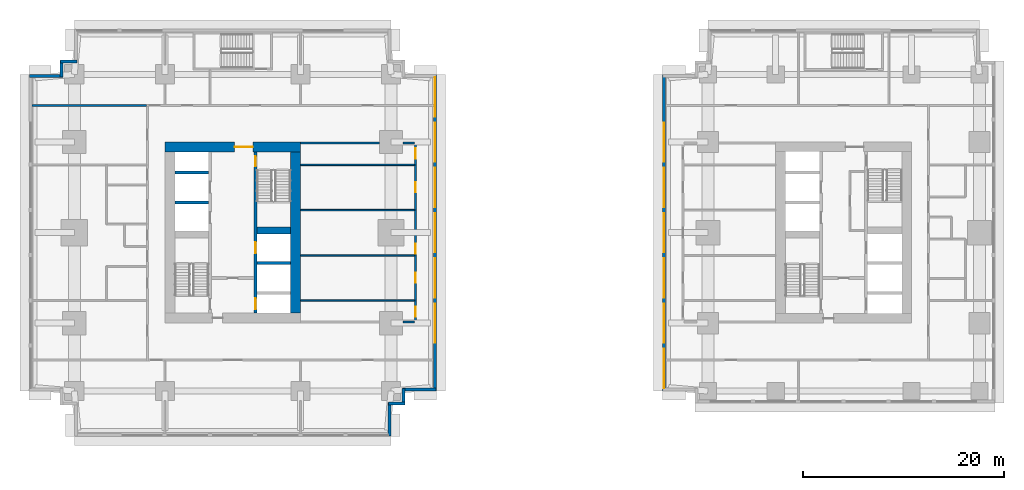
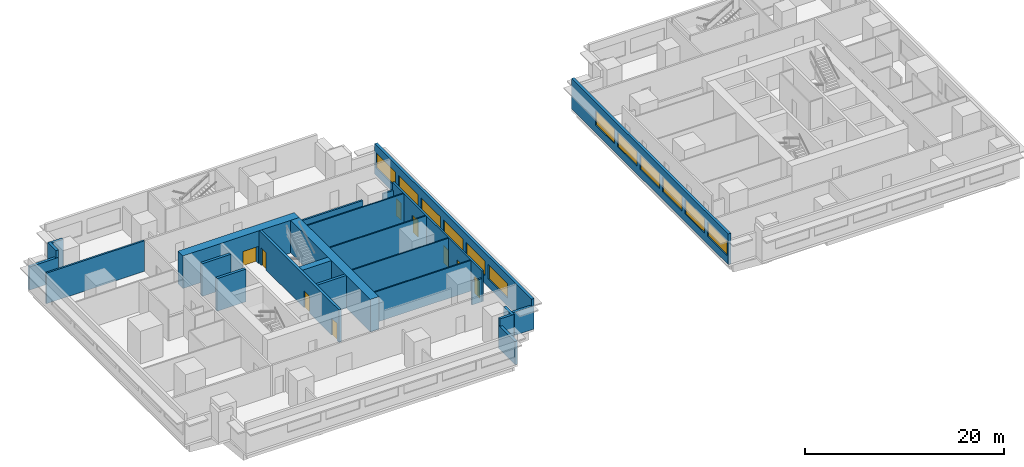
# One storey, part 4 of 11: 25 walls, 12 windows, 9 doors, 21 openings.
"""IFC4 building model written with IfcOpenShell, lengths in metres."""

import ifcopenshell
import ifcopenshell.guid

model = None  # the IFC model being written
_history = None  # IfcOwnerHistory: only IFC2X3 demands one
_inside = {}  # id of a spatial element -> (the spatial element, [elements in it])
_under = {}  # id of a project, library or spatial element -> (it, [spatial elements below it])
_declared = {}  # id of a project -> (the project, [libraries it declares])
_typed = {}  # id of a type object -> (the type object, [elements of that type])
_made_of = {}  # id of a material, layer set ... -> (it, [elements and type objects made of it])


def new_model(schema):
    """Start an empty IFC model of exactly this schema.

    Asked for "IFC4X3", IfcOpenShell would pick the latest addendum, in which some entities
    have other attributes; the version numbers below select the first issue.
    IFC2X3 requires an IfcOwnerHistory on every rooted entity: one is made here for all.
    """
    global model, _history
    if schema == "IFC4X3":
        model = ifcopenshell.file(schema_version=(4, 3, 0, 0))
    else:
        model = ifcopenshell.file(schema=schema)
    _inside.clear()
    _under.clear()
    _declared.clear()
    _typed.clear()
    _made_of.clear()
    _history = None
    if model.schema == "IFC2X3":
        org = make("IfcOrganization", Name="unknown")
        user = make(
            "IfcPersonAndOrganization",
            ThePerson=make("IfcPerson", FamilyName="unknown"),
            TheOrganization=org,
        )
        app = make(
            "IfcApplication",
            ApplicationDeveloper=org,
            Version="unknown",
            ApplicationFullName="unknown",
            ApplicationIdentifier="unknown",
        )
        _history = make(
            "IfcOwnerHistory",
            OwningUser=user,
            OwningApplication=app,
            ChangeAction="ADDED",
            CreationDate=0,
        )
    return model


def make(cls, **values):
    """One entity of the class cls with the attributes given. An attribute that is None is left unset."""
    return model.create_entity(
        cls, **{name: value for name, value in values.items() if value is not None}
    )


def rooted(cls, **values):
    """An entity with a GlobalId (a new one), such as an element, a storey or a relation."""
    return make(cls, GlobalId=ifcopenshell.guid.new(), OwnerHistory=_history, **values)


def si_unit(unit_type, name, prefix=None):
    """IfcSIUnit, for example si_unit("LENGTHUNIT", "METRE", prefix="MILLI")."""
    return make("IfcSIUnit", UnitType=unit_type, Prefix=prefix, Name=name)


def assignment(units):
    """IfcUnitAssignment: the units of a project."""
    return None if units is None else make("IfcUnitAssignment", Units=units)


def point(xyz):
    """IfcCartesianPoint."""
    return None if xyz is None else make("IfcCartesianPoint", Coordinates=xyz)


def direction(xyz):
    """IfcDirection."""
    return None if xyz is None else make("IfcDirection", DirectionRatios=xyz)


def frame(location, z_axis=None, x_axis=None):
    """IfcAxis2Placement3D, a coordinate frame: its origin and axes. An axis left out is left unset."""
    return make(
        "IfcAxis2Placement3D",
        Location=point(location),
        Axis=direction(z_axis),
        RefDirection=direction(x_axis),
    )


def frame_2d(location, x_axis=None):
    """IfcAxis2Placement2D, a coordinate frame in the plane: its origin and x axis."""
    return make(
        "IfcAxis2Placement2D", Location=point(location), RefDirection=direction(x_axis)
    )


def origin():
    """The frame at (0, 0, 0) with its axes left unset."""
    return frame((0.0, 0.0, 0.0))


def place(relative_to, where):
    """IfcLocalPlacement: puts the frame where relative to a parent placement (None: the world)."""
    return make(
        "IfcLocalPlacement", PlacementRelTo=relative_to, RelativePlacement=where
    )


def context(
    kind, dimensions, precision=None, world=None, true_north=None, identifier=None
):
    """IfcGeometricRepresentationContext, for example the 3D "Model" context."""
    return make(
        "IfcGeometricRepresentationContext",
        ContextIdentifier=identifier,
        ContextType=kind,
        CoordinateSpaceDimension=dimensions,
        Precision=precision,
        WorldCoordinateSystem=world,
        TrueNorth=true_north,
    )


def subcontext(parent, identifier, kind, view, scale=None):
    """IfcGeometricRepresentationSubContext, for example "Body" below "Model"."""
    return make(
        "IfcGeometricRepresentationSubContext",
        ContextIdentifier=identifier,
        ContextType=kind,
        ParentContext=parent,
        TargetScale=scale,
        TargetView=view,
    )


def project(units=None, contexts=None):
    """IfcProject with its units and contexts."""
    return rooted(
        "IfcProject",
        Name="project",
        RepresentationContexts=contexts,
        UnitsInContext=assignment(units),
    )


def spatial(cls, under=None, at=None, **own):
    """A site, building, storey or space (cls), placed at a placement, below another one or the project."""
    s = rooted(cls, ObjectPlacement=at, **own)
    if under is not None:
        _under.setdefault(under.id(), (under, []))[1].append(s)
    return s


def profile(cls, at=None, kind="AREA", **sizes):
    """A parametric profile (cls). Its sizes go by their IFC names, for example OverallWidth=200.0."""
    return make(cls, ProfileType=kind, Position=at, **sizes)


def rectangle(**sizes):
    """IfcRectangleProfileDef."""
    return profile("IfcRectangleProfileDef", **sizes)


def extrude(swept, where, along, depth):
    """IfcExtrudedAreaSolid: the profile swept, set in the frame where, extruded along a direction by depth."""
    return make(
        "IfcExtrudedAreaSolid",
        SweptArea=swept,
        Position=where,
        ExtrudedDirection=direction(along),
        Depth=depth,
    )


def shape(context_of_items, identifier, shape_type, items):
    """IfcShapeRepresentation: the items that make up one representation, for example the "Body"."""
    return make(
        "IfcShapeRepresentation",
        ContextOfItems=context_of_items,
        RepresentationIdentifier=identifier,
        RepresentationType=shape_type,
        Items=items,
    )


def material(Name=None, Category=None):
    """IfcMaterial."""
    return make("IfcMaterial", Name=Name, Category=Category)


def layer(
    of_material, thickness, ventilated=None, Name=None, Category=None, Priority=None
):
    """IfcMaterialLayer: one layer of a wall or slab, of a material (None: an air gap)."""
    return make(
        "IfcMaterialLayer",
        Material=of_material,
        LayerThickness=thickness,
        IsVentilated=ventilated,
        Name=Name,
        Category=Category,
        Priority=Priority,
    )


def layer_set(layers, Name=None):
    """IfcMaterialLayerSet."""
    return make("IfcMaterialLayerSet", MaterialLayers=layers, LayerSetName=Name)


def made_of(thing, what):
    """Note that an element or type object is made of a material, layer set ...; save() writes the relation."""
    if what is not None:
        _made_of.setdefault(what.id(), (what, []))[1].append(thing)
    return thing


def type_object(cls, material=None, **own):
    """A type object (cls), such as IfcWallType, which elements share."""
    return made_of(rooted(cls, **own), material)


def element(
    cls,
    number,
    at=None,
    inside=None,
    cuts=None,
    type_object=None,
    material=None,
    context=None,
    identifier="Body",
    shape_type=None,
    held_by="IfcProductDefinitionShape",
    body=None,
    shapes=None,
    **own,
):
    """One element of the class cls, such as IfcWall. Its Tag is "e" and its number.

    at: its placement. inside: the storey or other place that contains it. cuts: it is an
    opening in that element (IfcRelVoidsElement). A single representation is given by context,
    identifier, shape_type and body (its items); several are given by shapes. held_by: the class
    of the entity that holds the representations. save() writes the other relations.
    """
    e = rooted(cls, Tag="e%d" % number, ObjectPlacement=at, **own)
    if body is not None:
        shapes = [shape(context, identifier, shape_type, body)]
    if shapes is not None:
        e.Representation = make(held_by, Representations=shapes)
    if inside is not None:
        _inside.setdefault(inside.id(), (inside, []))[1].append(e)
    if cuts is not None:
        rooted(
            "IfcRelVoidsElement", RelatingBuildingElement=cuts, RelatedOpeningElement=e
        )
    if type_object is not None:
        _typed.setdefault(type_object.id(), (type_object, []))[1].append(e)
    return made_of(e, material)


def fill(opening, filler):
    """IfcRelFillsElement: the door or window that sits in an opening."""
    return rooted(
        "IfcRelFillsElement",
        RelatingOpeningElement=opening,
        RelatedBuildingElement=filler,
    )


def aggregate(whole, parts):
    """IfcRelAggregates: a whole, such as a stair, and the parts it consists of."""
    return rooted("IfcRelAggregates", RelatingObject=whole, RelatedObjects=parts)


def save(model, path):
    """Write the relations noted so far, then the file.

    IfcRelAggregates (storeys below a building ...), IfcRelContainedInSpatialStructure (elements
    in a storey), IfcRelDefinesByType, IfcRelAssociatesMaterial and IfcRelDeclares: one each for
    every whole, place, type object, material and project.
    """
    for whole, parts in _under.values():
        aggregate(whole, parts)
    for where, things in _inside.values():
        rooted(
            "IfcRelContainedInSpatialStructure",
            RelatedElements=things,
            RelatingStructure=where,
        )
    for kind, things in _typed.values():
        rooted("IfcRelDefinesByType", RelatedObjects=things, RelatingType=kind)
    for what, things in _made_of.values():
        rooted("IfcRelAssociatesMaterial", RelatedObjects=things, RelatingMaterial=what)
    for by, libraries in _declared.values():
        rooted("IfcRelDeclares", RelatingContext=by, RelatedDefinitions=libraries)
    model.write(path)


model = new_model("IFC4")

# Units and contexts
model_context = context("Model", 3, precision=1e-05, world=origin(), true_north=direction((0.0, 1.0)))
body_context = subcontext(model_context, "Body", "Model", "MODEL_VIEW")
ifc_project = project(units=[si_unit("LENGTHUNIT", "METRE"), si_unit("AREAUNIT", "SQUARE_METRE"), si_unit("VOLUMEUNIT", "CUBIC_METRE"), si_unit("PLANEANGLEUNIT", "RADIAN"), si_unit("MASSUNIT", "GRAM", prefix="KILO")], contexts=[model_context])

# Site, building, storey
site_placement = place(None, origin())
site = spatial("IfcSite", under=ifc_project, at=site_placement, CompositionType="ELEMENT")
building_placement = place(site_placement, origin())
building = spatial("IfcBuilding", under=site, at=building_placement, Name="Namib Vertical Campus", CompositionType="ELEMENT")
storey_placement = place(building_placement, frame((0.0, 0.0, 85.0)))
storey = spatial("IfcBuildingStorey", under=building, at=storey_placement, Name="L19", CompositionType="ELEMENT", Elevation=85.0)

# Wall, openings, doors
ifc_material_1 = material(Name="Concrete C60/75", Category="concrete")
ifc_layer_1 = layer(ifc_material_1, 0.300048828125)
ifc_layer_set_1 = layer_set([ifc_layer_1], Name="Concrete C60/75")
wall_type_1 = type_object("IfcWallType", Name="Core inner wall 300", PredefinedType="SHEAR", material=ifc_layer_set_1)
wall_1_placement = place(storey_placement, frame((22.5, 12.25, 0.0), z_axis=(0.0, 0.0, 1.0), x_axis=(0.0, 1.0, 0.0)))
wall_1 = element("IfcWall", 1, at=wall_1_placement, inside=storey, type_object=wall_type_1, Name="Core inner wall A L19 W2", PredefinedType="SHEAR", context=body_context, shape_type="SweptSolid", body=[
    extrude(rectangle(XDim=16.0, YDim=0.300048828125, at=frame_2d((8.0, 0.0))), origin(), (0.0, 0.0, 1.0), 4.0),
])
opening_1_placement = place(wall_1_placement, frame((14.60009765625, 0.0, 0.0)))
opening_1 = element("IfcOpeningElement", 2, at=opening_1_placement, cuts=wall_1, Name="Opening FD1", PredefinedType="OPENING", context=body_context, shape_type="SweptSolid", body=[
    extrude(rectangle(XDim=1.0, YDim=2.10009765625, at=frame_2d((0.5, 1.050048828125))), frame((0.0, 0.159912109375, 0.0), z_axis=(0.0, -1.0, 0.0), x_axis=(1.0, 0.0, 0.0)), (0.0, 0.0, 1.0), 0.320068359375),
])
opening_2_placement = place(wall_1_placement, frame((0.375, 0.0, 0.0)))
opening_2 = element("IfcOpeningElement", 3, at=opening_2_placement, cuts=wall_1, Name="Opening LD1", PredefinedType="OPENING", context=body_context, shape_type="SweptSolid", body=[
    extrude(rectangle(XDim=1.10009765625, YDim=2.10009765625, at=frame_2d((0.550048828125, 1.050048828125))), frame((0.0, 0.159912109375, 0.0), z_axis=(0.0, -1.0, 0.0), x_axis=(1.0, 0.0, 0.0)), (0.0, 0.0, 1.0), 0.320068359375),
])
opening_3_placement = place(wall_1_placement, frame((5.949951171875, 0.0, 0.0)))
opening_3 = element("IfcOpeningElement", 4, at=opening_3_placement, cuts=wall_1, Name="Opening LD1", PredefinedType="OPENING", context=body_context, shape_type="SweptSolid", body=[
    extrude(rectangle(XDim=1.10009765625, YDim=2.10009765625, at=frame_2d((0.550048828125, 1.050048828125))), frame((0.0, 0.159912109375, 0.0), z_axis=(0.0, -1.0, 0.0), x_axis=(1.0, 0.0, 0.0)), (0.0, 0.0, 1.0), 0.320068359375),
])
ifc_material_2 = material(Name="Steel fire door", Category="steel")
door_type_1 = type_object("IfcDoorType", Name="Fire door 1000x2100", OperationType="SINGLE_SWING_RIGHT", PredefinedType="DOOR", material=ifc_material_2)
door_1_placement = place(opening_1_placement, frame((1.0, 0.0, 0.0), z_axis=(0.0, 0.0, 1.0), x_axis=(-1.0, 0.0, 0.0)))
door_1 = element("IfcDoor", 5, at=door_1_placement, inside=storey, type_object=door_type_1, Name="Stair door FD1 A L19 S2", OperationType="SINGLE_SWING_LEFT", OverallHeight=2.10009765625, OverallWidth=1.0, PredefinedType="DOOR", context=body_context, shape_type="SweptSolid", body=[
    extrude(rectangle(XDim=1.0, YDim=2.10009765625, at=frame_2d((0.5, 1.050048828125))), frame((0.0, 0.02490234375, 0.0), z_axis=(0.0, -1.0, 0.0), x_axis=(1.0, 0.0, 0.0)), (0.0, 0.0, 1.0), 0.050048828125),
])
fill(opening_1, door_1)
ifc_material_3 = material(Name="Stainless steel lift door", Category="steel")
door_type_2 = type_object("IfcDoorType", Name="Lift landing door 1100x2100", OperationType="DOUBLE_DOOR_SLIDING", PredefinedType="DOOR", material=ifc_material_3)
door_2_placement = place(opening_2_placement, origin())
door_2 = element("IfcDoor", 6, at=door_2_placement, inside=storey, type_object=door_type_2, Name="Lift landing door LD1 A-FL1 L19", OperationType="DOUBLE_DOOR_SLIDING", OverallHeight=2.10009765625, OverallWidth=1.10009765625, PredefinedType="DOOR", context=body_context, shape_type="SweptSolid", body=[
    extrude(rectangle(XDim=1.10009765625, YDim=2.10009765625, at=frame_2d((0.550048828125, 1.050048828125))), frame((0.0, 0.02490234375, 0.0), z_axis=(0.0, -1.0, 0.0), x_axis=(1.0, 0.0, 0.0)), (0.0, 0.0, 1.0), 0.050048828125),
])
fill(opening_2, door_2)
door_3_placement = place(opening_3_placement, origin())
door_3 = element("IfcDoor", 7, at=door_3_placement, inside=storey, type_object=door_type_2, Name="Lift landing door LD1 A-P5 L19", OperationType="DOUBLE_DOOR_SLIDING", OverallHeight=2.10009765625, OverallWidth=1.10009765625, PredefinedType="DOOR", context=body_context, shape_type="SweptSolid", body=[
    extrude(rectangle(XDim=1.10009765625, YDim=2.10009765625, at=frame_2d((0.550048828125, 1.050048828125))), frame((0.0, 0.02490234375, 0.0), z_axis=(0.0, -1.0, 0.0), x_axis=(1.0, 0.0, 0.0)), (0.0, 0.0, 1.0), 0.050048828125),
])
fill(opening_3, door_3)

# Walls
for number, where, z_axis, x_axis, name in (
    (8, (22.64990234375, 17.25, 0.0), (0.0, 0.0, 1.0), (1.0, 0.0, 0.0), "Core inner wall A L19 W6"),
    (9, (14.5, 23.25, 0.0), (0.0, 0.0, 1.0), (1.0, 0.0, 0.0), "Core inner wall A L19 W8"),
    (10, (14.5, 26.25, 0.0), (0.0, 0.0, 1.0), (1.0, 0.0, 0.0), "Core inner wall A L19 W9"),
):
    element("IfcWall", number, at=place(storey_placement, frame(where, z_axis=z_axis, x_axis=x_axis)), inside=storey, type_object=wall_type_1, Name=name, PredefinedType="SHEAR", context=body_context, shape_type="SweptSolid", body=[
        extrude(rectangle(XDim=3.35009765625, YDim=0.300048828125, at=frame_2d((1.675048828125, 0.0))), origin(), (0.0, 0.0, 1.0), 4.0),
    ])
ifc_material_4 = material(Name="Concrete C60/75", Category="concrete")
ifc_layer_2 = layer(ifc_material_4, 0.699951171875)
ifc_layer_set_2 = layer_set([ifc_layer_2], Name="Concrete C60/75")
wall_type_2 = type_object("IfcWallType", Name="Core shear wall 700", PredefinedType="SHEAR", material=ifc_layer_set_2)
wall_2_placement = place(storey_placement, frame((22.64990234375, 20.449951171875, 0.0), z_axis=(0.0, 0.0, 1.0), x_axis=(1.0, 0.0, 0.0)))
element("IfcWall", 11, at=wall_2_placement, inside=storey, type_object=wall_type_2, Name="Core shear wall A L19 W7", PredefinedType="SHEAR", context=body_context, shape_type="SweptSolid", body=[
    extrude(rectangle(XDim=3.35009765625, YDim=0.699951171875, at=frame_2d((1.675048828125, 0.0))), origin(), (0.0, 0.0, 1.0), 4.0),
])
ifc_material_5 = material(Name="Concrete C60/75", Category="concrete")
ifc_layer_3 = layer(ifc_material_5, 1.0)
ifc_layer_set_3 = layer_set([ifc_layer_3], Name="Concrete C60/75")
wall_type_3 = type_object("IfcWallType", Name="Core wall 1000", PredefinedType="SHEAR", material=ifc_layer_set_3)
wall_3_placement = place(storey_placement, frame((26.5, 12.25, 0.0), z_axis=(0.0, 0.0, 1.0), x_axis=(0.0, 1.0, 0.0)))
element("IfcWall", 12, at=wall_3_placement, inside=storey, type_object=wall_type_3, Name="Core wall A L19 2", PredefinedType="SHEAR", context=body_context, shape_type="SweptSolid", body=[
    extrude(rectangle(XDim=16.0, YDim=1.0, at=frame_2d((8.0, 0.0))), origin(), (0.0, 0.0, 1.0), 4.0),
])

# Wall, opening, door
wall_4_placement = place(storey_placement, frame((27.0, 28.75, 0.0), z_axis=(0.0, 0.0, 1.0), x_axis=(-1.0, 0.0, 0.0)))
wall_4 = element("IfcWall", 13, at=wall_4_placement, inside=storey, type_object=wall_type_3, Name="Core wall A L19 3", PredefinedType="SHEAR", context=body_context, shape_type="SweptSolid", body=[
    extrude(rectangle(XDim=13.5, YDim=1.0, at=frame_2d((6.75, 0.0))), origin(), (0.0, 0.0, 1.0), 4.0),
])
opening_4_placement = place(wall_4_placement, frame((4.75, 0.0, 0.0)))
opening_4 = element("IfcOpeningElement", 14, at=opening_4_placement, cuts=wall_4, Name="Opening FD2", PredefinedType="OPENING", context=body_context, shape_type="SweptSolid", body=[
    extrude(rectangle(XDim=1.800048828125, YDim=2.10009765625, at=frame_2d((0.89990234375, 1.050048828125))), frame((0.0, 0.510009765625, 0.0), z_axis=(0.0, -1.0, 0.0), x_axis=(1.0, 0.0, 0.0)), (0.0, 0.0, 1.0), 1.02001953125),
])
ifc_material_6 = material(Name="Steel fire door", Category="steel")
door_type_3 = type_object("IfcDoorType", Name="Fire door double 1800x2100", OperationType="DOUBLE_DOOR_SINGLE_SWING", PredefinedType="DOOR", material=ifc_material_6)
door_4_placement = place(opening_4_placement, origin())
door_4 = element("IfcDoor", 15, at=door_4_placement, inside=storey, type_object=door_type_3, Name="Lift lobby door FD2 A L19", OperationType="DOUBLE_DOOR_SINGLE_SWING", OverallHeight=2.10009765625, OverallWidth=1.800048828125, PredefinedType="DOOR", context=body_context, shape_type="SweptSolid", body=[
    extrude(rectangle(XDim=1.800048828125, YDim=2.10009765625, at=frame_2d((0.89990234375, 1.050048828125))), frame((0.0, 0.02490234375, 0.0), z_axis=(0.0, -1.0, 0.0), x_axis=(1.0, 0.0, 0.0)), (0.0, 0.0, 1.0), 0.050048828125),
])
fill(opening_4, door_4)

# Wall, openings, doors
ifc_material_7 = material(Name="Concrete masonry", Category="masonry")
ifc_layer_4 = layer(ifc_material_7, 0.199951171875)
ifc_layer_set_4 = layer_set([ifc_layer_4], Name="Corridor wall 200")
wall_type_4 = type_object("IfcWallType", Name="Corridor wall 200", PredefinedType="SOLIDWALL", material=ifc_layer_set_4)
wall_5_placement = place(storey_placement, frame((38.449951171875, 11.25, 0.0), z_axis=(0.0, 0.0, 1.0), x_axis=(0.0, 1.0, 0.0)))
wall_5 = element("IfcWall", 16, at=wall_5_placement, inside=storey, type_object=wall_type_4, Name="Corridor wall A L19 CG", PredefinedType="SOLIDWALL", context=body_context, shape_type="SweptSolid", body=[
    extrude(rectangle(XDim=18.0, YDim=0.199951171875, at=frame_2d((9.0, 0.0))), origin(), (0.0, 0.0, 1.0), 3.75),
])
opening_5_placement = place(wall_5_placement, frame((0.625, 0.0, 0.0)))
opening_5 = element("IfcOpeningElement", 17, at=opening_5_placement, cuts=wall_5, Name="Opening CD1", PredefinedType="OPENING", context=body_context, shape_type="SweptSolid", body=[
    extrude(rectangle(XDim=1.0, YDim=2.10009765625, at=frame_2d((0.5, 1.050048828125))), frame((0.0, 0.10986328125, 0.0), z_axis=(0.0, -1.0, 0.0), x_axis=(1.0, 0.0, 0.0)), (0.0, 0.0, 1.0), 0.219970703125),
])
opening_6_placement = place(wall_5_placement, frame((4.0, 0.0, 0.0)))
opening_6 = element("IfcOpeningElement", 18, at=opening_6_placement, cuts=wall_5, Name="Opening CD1", PredefinedType="OPENING", context=body_context, shape_type="SweptSolid", body=[
    extrude(rectangle(XDim=1.0, YDim=2.10009765625, at=frame_2d((0.5, 1.050048828125))), frame((0.0, 0.10986328125, 0.0), z_axis=(0.0, -1.0, 0.0), x_axis=(1.0, 0.0, 0.0)), (0.0, 0.0, 1.0), 0.219970703125),
])
opening_7_placement = place(wall_5_placement, frame((6.89990234375, 0.0, 0.0)))
opening_7 = element("IfcOpeningElement", 19, at=opening_7_placement, cuts=wall_5, Name="Opening CD1", PredefinedType="OPENING", context=body_context, shape_type="SweptSolid", body=[
    extrude(rectangle(XDim=1.0, YDim=2.10009765625, at=frame_2d((0.5, 1.050048828125))), frame((0.0, 0.10986328125, 0.0), z_axis=(0.0, -1.0, 0.0), x_axis=(1.0, 0.0, 0.0)), (0.0, 0.0, 1.0), 0.219970703125),
])
opening_8_placement = place(wall_5_placement, frame((13.0, 0.0, 0.0)))
opening_8 = element("IfcOpeningElement", 20, at=opening_8_placement, cuts=wall_5, Name="Opening CD1", PredefinedType="OPENING", context=body_context, shape_type="SweptSolid", body=[
    extrude(rectangle(XDim=1.0, YDim=2.10009765625, at=frame_2d((0.5, 1.050048828125))), frame((0.0, 0.10986328125, 0.0), z_axis=(0.0, -1.0, 0.0), x_axis=(1.0, 0.0, 0.0)), (0.0, 0.0, 1.0), 0.219970703125),
])
opening_9_placement = place(wall_5_placement, frame((16.375, 0.0, 0.0)))
opening_9 = element("IfcOpeningElement", 21, at=opening_9_placement, cuts=wall_5, Name="Opening CD1", PredefinedType="OPENING", context=body_context, shape_type="SweptSolid", body=[
    extrude(rectangle(XDim=1.0, YDim=2.10009765625, at=frame_2d((0.5, 1.050048828125))), frame((0.0, 0.10986328125, 0.0), z_axis=(0.0, -1.0, 0.0), x_axis=(1.0, 0.0, 0.0)), (0.0, 0.0, 1.0), 0.219970703125),
])
ifc_material_8 = material(Name="Timber fire door leaf", Category="wood")
door_type_4 = type_object("IfcDoorType", Name="Corridor door 1000x2100 20 min", OperationType="SINGLE_SWING_LEFT", PredefinedType="DOOR", material=ifc_material_8)
door_5_placement = place(opening_5_placement, origin())
door_5 = element("IfcDoor", 22, at=door_5_placement, inside=storey, type_object=door_type_4, Name="Door CD1 A19-04", OperationType="SINGLE_SWING_LEFT", OverallHeight=2.10009765625, OverallWidth=1.0, PredefinedType="DOOR", context=body_context, shape_type="SweptSolid", body=[
    extrude(rectangle(XDim=1.0, YDim=2.10009765625, at=frame_2d((0.5, 1.050048828125))), frame((0.0, 0.02490234375, 0.0), z_axis=(0.0, -1.0, 0.0), x_axis=(1.0, 0.0, 0.0)), (0.0, 0.0, 1.0), 0.050048828125),
])
fill(opening_5, door_5)
door_6_placement = place(opening_6_placement, origin())
door_6 = element("IfcDoor", 23, at=door_6_placement, inside=storey, type_object=door_type_4, Name="Door CD1 A19-05", OperationType="SINGLE_SWING_LEFT", OverallHeight=2.10009765625, OverallWidth=1.0, PredefinedType="DOOR", context=body_context, shape_type="SweptSolid", body=[
    extrude(rectangle(XDim=1.0, YDim=2.10009765625, at=frame_2d((0.5, 1.050048828125))), frame((0.0, 0.02490234375, 0.0), z_axis=(0.0, -1.0, 0.0), x_axis=(1.0, 0.0, 0.0)), (0.0, 0.0, 1.0), 0.050048828125),
])
fill(opening_6, door_6)
door_7_placement = place(opening_7_placement, origin())
door_7 = element("IfcDoor", 24, at=door_7_placement, inside=storey, type_object=door_type_4, Name="Door CD1 A19-06", OperationType="SINGLE_SWING_LEFT", OverallHeight=2.10009765625, OverallWidth=1.0, PredefinedType="DOOR", context=body_context, shape_type="SweptSolid", body=[
    extrude(rectangle(XDim=1.0, YDim=2.10009765625, at=frame_2d((0.5, 1.050048828125))), frame((0.0, 0.02490234375, 0.0), z_axis=(0.0, -1.0, 0.0), x_axis=(1.0, 0.0, 0.0)), (0.0, 0.0, 1.0), 0.050048828125),
])
fill(opening_7, door_7)
door_8_placement = place(opening_8_placement, origin())
door_8 = element("IfcDoor", 25, at=door_8_placement, inside=storey, type_object=door_type_4, Name="Door CD1 A19-07", OperationType="SINGLE_SWING_LEFT", OverallHeight=2.10009765625, OverallWidth=1.0, PredefinedType="DOOR", context=body_context, shape_type="SweptSolid", body=[
    extrude(rectangle(XDim=1.0, YDim=2.10009765625, at=frame_2d((0.5, 1.050048828125))), frame((0.0, 0.02490234375, 0.0), z_axis=(0.0, -1.0, 0.0), x_axis=(1.0, 0.0, 0.0)), (0.0, 0.0, 1.0), 0.050048828125),
])
fill(opening_8, door_8)
door_9_placement = place(opening_9_placement, origin())
door_9 = element("IfcDoor", 26, at=door_9_placement, inside=storey, type_object=door_type_4, Name="Door CD1 A19-08", OperationType="SINGLE_SWING_LEFT", OverallHeight=2.10009765625, OverallWidth=1.0, PredefinedType="DOOR", context=body_context, shape_type="SweptSolid", body=[
    extrude(rectangle(XDim=1.0, YDim=2.10009765625, at=frame_2d((0.5, 1.050048828125))), frame((0.0, 0.02490234375, 0.0), z_axis=(0.0, -1.0, 0.0), x_axis=(1.0, 0.0, 0.0)), (0.0, 0.0, 1.0), 0.050048828125),
])
fill(opening_9, door_9)

# Walls
wall_6_placement = place(storey_placement, frame((37.169921875, 11.35009765625, 0.0), z_axis=(0.0, 0.0, 1.0), x_axis=(1.0, 0.0, 0.0)))
element("IfcWall", 27, at=wall_6_placement, inside=storey, type_object=wall_type_4, Name="Corridor wall A L19 GS", PredefinedType="SOLIDWALL", context=body_context, shape_type="SweptSolid", body=[
    extrude(rectangle(XDim=1.18017578125, YDim=0.199951171875, at=frame_2d((0.590087890625, 0.0))), origin(), (0.0, 0.0, 1.0), 2.85009765625),
])
wall_7_placement = place(storey_placement, frame((27.0, 29.14990234375, 0.0), z_axis=(0.0, 0.0, 1.0), x_axis=(1.0, 0.0, 0.0)))
element("IfcWall", 28, at=wall_7_placement, inside=storey, type_object=wall_type_4, Name="Corridor wall A L19 GN", PredefinedType="SOLIDWALL", context=body_context, shape_type="SweptSolid", body=[
    extrude(rectangle(XDim=7.830078125, YDim=0.199951171875, at=frame_2d((3.9150390625, 0.0))), origin(), (0.0, 0.0, 1.0), 2.85009765625),
])
wall_8_placement = place(storey_placement, frame((37.169921875, 29.14990234375, 0.0), z_axis=(0.0, 0.0, 1.0), x_axis=(1.0, 0.0, 0.0)))
element("IfcWall", 29, at=wall_8_placement, inside=storey, type_object=wall_type_4, Name="Corridor wall A L19 GN", PredefinedType="SOLIDWALL", context=body_context, shape_type="SweptSolid", body=[
    extrude(rectangle(XDim=1.18017578125, YDim=0.199951171875, at=frame_2d((0.590087890625, 0.0))), origin(), (0.0, 0.0, 1.0), 2.85009765625),
])
wall_9_placement = place(storey_placement, frame((0.300048828125, 32.89990234375, 0.0), z_axis=(0.0, 0.0, 1.0), x_axis=(1.0, 0.0, 0.0)))
element("IfcWall", 30, at=wall_9_placement, inside=storey, type_object=wall_type_4, Name="Partition A L19 BNW", PredefinedType="SOLIDWALL", context=body_context, shape_type="SweptSolid", body=[
    extrude(rectangle(XDim=11.39990234375, YDim=0.199951171875, at=frame_2d((5.699951171875, 0.0))), origin(), (0.0, 0.0, 1.0), 3.75),
])
ifc_material_9 = material(Name="Concrete C40/50", Category="concrete")
ifc_layer_5 = layer(ifc_material_9, 0.300048828125)
ifc_layer_set_5 = layer_set([ifc_layer_5], Name="Concrete C40/50")
wall_type_5 = type_object("IfcWallType", Name="External wall 300 board-marked concrete", PredefinedType="STANDARD", material=ifc_layer_set_5)
wall_10_placement = place(storey_placement, frame((35.85009765625, 0.02001953125, 0.0), z_axis=(0.0, 0.0, 1.0), x_axis=(0.0, 1.0, 0.0)))
element("IfcWall", 31, at=wall_10_placement, inside=storey, type_object=wall_type_5, Name="External wall L19 F02", PredefinedType="STANDARD", context=body_context, shape_type="SweptSolid", body=[
    extrude(rectangle(XDim=3.35986328125, YDim=0.300048828125, at=frame_2d((1.679931640625, 0.0))), origin(), (0.0, 0.0, 1.0), 2.85009765625),
])
for number, where, z_axis, x_axis, name in (
    (32, (35.719970703125, 3.25, 0.0), (0.0, 0.0, 1.0), (1.0, 0.0, 0.0), "External wall L19 F03"),
    (33, (37.25, 3.1201171875, 0.0), (0.0, 0.0, 1.0), (0.0, 1.0, 0.0), "External wall L19 F04"),
):
    element("IfcWall", number, at=place(storey_placement, frame(where, z_axis=z_axis, x_axis=x_axis)), inside=storey, type_object=wall_type_5, Name=name, PredefinedType="STANDARD", context=body_context, shape_type="SweptSolid", body=[
        extrude(rectangle(XDim=1.659912109375, YDim=0.300048828125, at=frame_2d((0.830078125, 0.0))), origin(), (0.0, 0.0, 1.0), 3.75),
    ])
wall_11_placement = place(storey_placement, frame((37.1201171875, 4.64990234375, 0.0), z_axis=(0.0, 0.0, 1.0), x_axis=(1.0, 0.0, 0.0)))
element("IfcWall", 34, at=wall_11_placement, inside=storey, type_object=wall_type_5, Name="External wall L19 F05", PredefinedType="STANDARD", context=body_context, shape_type="SweptSolid", body=[
    extrude(rectangle(XDim=3.35986328125, YDim=0.300048828125, at=frame_2d((1.679931640625, 0.0))), origin(), (0.0, 0.0, 1.0), 2.85009765625),
])

# Wall, openings, windows
wall_12_placement = place(storey_placement, frame((40.35009765625, 4.52001953125, 0.0), z_axis=(0.0, 0.0, 1.0), x_axis=(0.0, 1.0, 0.0)))
wall_12 = element("IfcWall", 35, at=wall_12_placement, inside=storey, type_object=wall_type_5, Name="External wall L19 F06", PredefinedType="STANDARD", context=body_context, shape_type="SweptSolid", body=[
    extrude(rectangle(XDim=31.4599609375, YDim=0.300048828125, at=frame_2d((15.72998046875, 0.0))), origin(), (0.0, 0.0, 1.0), 3.75),
])
opening_10_placement = place(wall_12_placement, frame((4.780029296875, 0.0, 0.949951171875)))
opening_10 = element("IfcOpeningElement", 36, at=opening_10_placement, cuts=wall_12, Name="Opening W3", PredefinedType="OPENING", context=body_context, shape_type="SweptSolid", body=[
    extrude(rectangle(XDim=3.89990234375, YDim=1.800048828125, at=frame_2d((1.949951171875, 0.89990234375))), frame((0.0, 0.159912109375, 0.0), z_axis=(0.0, -1.0, 0.0), x_axis=(1.0, 0.0, 0.0)), (0.0, 0.0, 1.0), 0.320068359375),
])
opening_11_placement = place(wall_12_placement, frame((9.280029296875, 0.0, 0.949951171875)))
opening_11 = element("IfcOpeningElement", 37, at=opening_11_placement, cuts=wall_12, Name="Opening W3", PredefinedType="OPENING", context=body_context, shape_type="SweptSolid", body=[
    extrude(rectangle(XDim=3.89990234375, YDim=1.800048828125, at=frame_2d((1.949951171875, 0.89990234375))), frame((0.0, 0.159912109375, 0.0), z_axis=(0.0, -1.0, 0.0), x_axis=(1.0, 0.0, 0.0)), (0.0, 0.0, 1.0), 0.320068359375),
])
opening_12_placement = place(wall_12_placement, frame((13.780029296875, 0.0, 0.949951171875)))
opening_12 = element("IfcOpeningElement", 38, at=opening_12_placement, cuts=wall_12, Name="Opening W3", PredefinedType="OPENING", context=body_context, shape_type="SweptSolid", body=[
    extrude(rectangle(XDim=3.89990234375, YDim=1.800048828125, at=frame_2d((1.949951171875, 0.89990234375))), frame((0.0, 0.159912109375, 0.0), z_axis=(0.0, -1.0, 0.0), x_axis=(1.0, 0.0, 0.0)), (0.0, 0.0, 1.0), 0.320068359375),
])
opening_13_placement = place(wall_12_placement, frame((18.280029296875, 0.0, 0.949951171875)))
opening_13 = element("IfcOpeningElement", 39, at=opening_13_placement, cuts=wall_12, Name="Opening W3", PredefinedType="OPENING", context=body_context, shape_type="SweptSolid", body=[
    extrude(rectangle(XDim=3.89990234375, YDim=1.800048828125, at=frame_2d((1.949951171875, 0.89990234375))), frame((0.0, 0.159912109375, 0.0), z_axis=(0.0, -1.0, 0.0), x_axis=(1.0, 0.0, 0.0)), (0.0, 0.0, 1.0), 0.320068359375),
])
opening_14_placement = place(wall_12_placement, frame((22.780029296875, 0.0, 0.949951171875)))
opening_14 = element("IfcOpeningElement", 40, at=opening_14_placement, cuts=wall_12, Name="Opening W3", PredefinedType="OPENING", context=body_context, shape_type="SweptSolid", body=[
    extrude(rectangle(XDim=3.89990234375, YDim=1.800048828125, at=frame_2d((1.949951171875, 0.89990234375))), frame((0.0, 0.159912109375, 0.0), z_axis=(0.0, -1.0, 0.0), x_axis=(1.0, 0.0, 0.0)), (0.0, 0.0, 1.0), 0.320068359375),
])
opening_15_placement = place(wall_12_placement, frame((27.280029296875, 0.0, 0.949951171875)))
opening_15 = element("IfcOpeningElement", 41, at=opening_15_placement, cuts=wall_12, Name="Opening W3", PredefinedType="OPENING", context=body_context, shape_type="SweptSolid", body=[
    extrude(rectangle(XDim=3.89990234375, YDim=1.800048828125, at=frame_2d((1.949951171875, 0.89990234375))), frame((0.0, 0.159912109375, 0.0), z_axis=(0.0, -1.0, 0.0), x_axis=(1.0, 0.0, 0.0)), (0.0, 0.0, 1.0), 0.320068359375),
])
ifc_material_10 = material(Name="Dark tinted glass in black aluminium frame", Category="aluminium")
window_type = type_object("IfcWindowType", Name="Ribbon window 3900x1800", PartitioningType="SINGLE_PANEL", PredefinedType="WINDOW", material=ifc_material_10)
window_1_placement = place(opening_10_placement, origin())
window_1 = element("IfcWindow", 42, at=window_1_placement, inside=storey, type_object=window_type, Name="Window W3 L19 F06-2", OverallHeight=1.800048828125, OverallWidth=3.89990234375, PartitioningType="SINGLE_PANEL", PredefinedType="WINDOW", context=body_context, shape_type="SweptSolid", body=[
    extrude(rectangle(XDim=3.89990234375, YDim=1.800048828125, at=frame_2d((1.949951171875, 0.89990234375))), frame((0.0, 0.030029296875, 0.0), z_axis=(0.0, -1.0, 0.0), x_axis=(1.0, 0.0, 0.0)), (0.0, 0.0, 1.0), 0.06005859375),
])
fill(opening_10, window_1)
window_2_placement = place(opening_11_placement, origin())
window_2 = element("IfcWindow", 43, at=window_2_placement, inside=storey, type_object=window_type, Name="Window W3 L19 F06-3", OverallHeight=1.800048828125, OverallWidth=3.89990234375, PartitioningType="SINGLE_PANEL", PredefinedType="WINDOW", context=body_context, shape_type="SweptSolid", body=[
    extrude(rectangle(XDim=3.89990234375, YDim=1.800048828125, at=frame_2d((1.949951171875, 0.89990234375))), frame((0.0, 0.030029296875, 0.0), z_axis=(0.0, -1.0, 0.0), x_axis=(1.0, 0.0, 0.0)), (0.0, 0.0, 1.0), 0.06005859375),
])
fill(opening_11, window_2)
window_3_placement = place(opening_12_placement, origin())
window_3 = element("IfcWindow", 44, at=window_3_placement, inside=storey, type_object=window_type, Name="Window W3 L19 F06-4", OverallHeight=1.800048828125, OverallWidth=3.89990234375, PartitioningType="SINGLE_PANEL", PredefinedType="WINDOW", context=body_context, shape_type="SweptSolid", body=[
    extrude(rectangle(XDim=3.89990234375, YDim=1.800048828125, at=frame_2d((1.949951171875, 0.89990234375))), frame((0.0, 0.030029296875, 0.0), z_axis=(0.0, -1.0, 0.0), x_axis=(1.0, 0.0, 0.0)), (0.0, 0.0, 1.0), 0.06005859375),
])
fill(opening_12, window_3)
window_4_placement = place(opening_13_placement, origin())
window_4 = element("IfcWindow", 45, at=window_4_placement, inside=storey, type_object=window_type, Name="Window W3 L19 F06-5", OverallHeight=1.800048828125, OverallWidth=3.89990234375, PartitioningType="SINGLE_PANEL", PredefinedType="WINDOW", context=body_context, shape_type="SweptSolid", body=[
    extrude(rectangle(XDim=3.89990234375, YDim=1.800048828125, at=frame_2d((1.949951171875, 0.89990234375))), frame((0.0, 0.030029296875, 0.0), z_axis=(0.0, -1.0, 0.0), x_axis=(1.0, 0.0, 0.0)), (0.0, 0.0, 1.0), 0.06005859375),
])
fill(opening_13, window_4)
window_5_placement = place(opening_14_placement, origin())
window_5 = element("IfcWindow", 46, at=window_5_placement, inside=storey, type_object=window_type, Name="Window W3 L19 F06-6", OverallHeight=1.800048828125, OverallWidth=3.89990234375, PartitioningType="SINGLE_PANEL", PredefinedType="WINDOW", context=body_context, shape_type="SweptSolid", body=[
    extrude(rectangle(XDim=3.89990234375, YDim=1.800048828125, at=frame_2d((1.949951171875, 0.89990234375))), frame((0.0, 0.030029296875, 0.0), z_axis=(0.0, -1.0, 0.0), x_axis=(1.0, 0.0, 0.0)), (0.0, 0.0, 1.0), 0.06005859375),
])
fill(opening_14, window_5)
window_6_placement = place(opening_15_placement, origin())
window_6 = element("IfcWindow", 47, at=window_6_placement, inside=storey, type_object=window_type, Name="Window W3 L19 F06-7", OverallHeight=1.800048828125, OverallWidth=3.89990234375, PartitioningType="SINGLE_PANEL", PredefinedType="WINDOW", context=body_context, shape_type="SweptSolid", body=[
    extrude(rectangle(XDim=3.89990234375, YDim=1.800048828125, at=frame_2d((1.949951171875, 0.89990234375))), frame((0.0, 0.030029296875, 0.0), z_axis=(0.0, -1.0, 0.0), x_axis=(1.0, 0.0, 0.0)), (0.0, 0.0, 1.0), 0.06005859375),
])
fill(opening_15, window_6)

# Walls
for number, where, z_axis, x_axis, name in (
    (48, (4.780029296875, 37.25, 0.0), (0.0, 0.0, 1.0), (-1.0, 0.0, 0.0), "External wall L19 F13"),
    (49, (3.25, 37.3798828125, 0.0), (0.0, 0.0, 1.0), (0.0, -1.0, 0.0), "External wall L19 F14"),
):
    element("IfcWall", number, at=place(storey_placement, frame(where, z_axis=z_axis, x_axis=x_axis)), inside=storey, type_object=wall_type_5, Name=name, PredefinedType="STANDARD", context=body_context, shape_type="SweptSolid", body=[
        extrude(rectangle(XDim=1.659912109375, YDim=0.300048828125, at=frame_2d((0.830078125, 0.0))), origin(), (0.0, 0.0, 1.0), 3.75),
    ])
wall_13_placement = place(storey_placement, frame((3.3798828125, 35.85009765625, 0.0), z_axis=(0.0, 0.0, 1.0), x_axis=(-1.0, 0.0, 0.0)))
element("IfcWall", 50, at=wall_13_placement, inside=storey, type_object=wall_type_5, Name="External wall L19 F15", PredefinedType="STANDARD", context=body_context, shape_type="SweptSolid", body=[
    extrude(rectangle(XDim=3.35986328125, YDim=0.300048828125, at=frame_2d((1.679931640625, 0.0))), origin(), (0.0, 0.0, 1.0), 2.85009765625),
])

# Wall, openings, windows
wall_14_placement = place(storey_placement, frame((63.14990234375, 35.97998046875, 0.0), z_axis=(0.0, 0.0, 1.0), x_axis=(0.0, -1.0, 0.0)))
wall_14 = element("IfcWall", 51, at=wall_14_placement, inside=storey, type_object=wall_type_5, Name="External wall L19 F12", PredefinedType="STANDARD", context=body_context, shape_type="SweptSolid", body=[
    extrude(rectangle(XDim=31.4599609375, YDim=0.300048828125, at=frame_2d((15.72998046875, 0.0))), origin(), (0.0, 0.0, 1.0), 3.75),
])
opening_16_placement = place(wall_14_placement, frame((27.280029296875, 0.0, 0.949951171875)))
opening_16 = element("IfcOpeningElement", 52, at=opening_16_placement, cuts=wall_14, Name="Opening W3", PredefinedType="OPENING", context=body_context, shape_type="SweptSolid", body=[
    extrude(rectangle(XDim=3.89990234375, YDim=1.800048828125, at=frame_2d((1.949951171875, 0.89990234375))), frame((0.0, 0.159912109375, 0.0), z_axis=(0.0, -1.0, 0.0), x_axis=(1.0, 0.0, 0.0)), (0.0, 0.0, 1.0), 0.320068359375),
])
opening_17_placement = place(wall_14_placement, frame((22.780029296875, 0.0, 0.949951171875)))
opening_17 = element("IfcOpeningElement", 53, at=opening_17_placement, cuts=wall_14, Name="Opening W3", PredefinedType="OPENING", context=body_context, shape_type="SweptSolid", body=[
    extrude(rectangle(XDim=3.89990234375, YDim=1.800048828125, at=frame_2d((1.949951171875, 0.89990234375))), frame((0.0, 0.159912109375, 0.0), z_axis=(0.0, -1.0, 0.0), x_axis=(1.0, 0.0, 0.0)), (0.0, 0.0, 1.0), 0.320068359375),
])
opening_18_placement = place(wall_14_placement, frame((18.280029296875, 0.0, 0.949951171875)))
opening_18 = element("IfcOpeningElement", 54, at=opening_18_placement, cuts=wall_14, Name="Opening W3", PredefinedType="OPENING", context=body_context, shape_type="SweptSolid", body=[
    extrude(rectangle(XDim=3.89990234375, YDim=1.800048828125, at=frame_2d((1.949951171875, 0.89990234375))), frame((0.0, 0.159912109375, 0.0), z_axis=(0.0, -1.0, 0.0), x_axis=(1.0, 0.0, 0.0)), (0.0, 0.0, 1.0), 0.320068359375),
])
opening_19_placement = place(wall_14_placement, frame((13.780029296875, 0.0, 0.949951171875)))
opening_19 = element("IfcOpeningElement", 55, at=opening_19_placement, cuts=wall_14, Name="Opening W3", PredefinedType="OPENING", context=body_context, shape_type="SweptSolid", body=[
    extrude(rectangle(XDim=3.89990234375, YDim=1.800048828125, at=frame_2d((1.949951171875, 0.89990234375))), frame((0.0, 0.159912109375, 0.0), z_axis=(0.0, -1.0, 0.0), x_axis=(1.0, 0.0, 0.0)), (0.0, 0.0, 1.0), 0.320068359375),
])
opening_20_placement = place(wall_14_placement, frame((9.280029296875, 0.0, 0.949951171875)))
opening_20 = element("IfcOpeningElement", 56, at=opening_20_placement, cuts=wall_14, Name="Opening W3", PredefinedType="OPENING", context=body_context, shape_type="SweptSolid", body=[
    extrude(rectangle(XDim=3.89990234375, YDim=1.800048828125, at=frame_2d((1.949951171875, 0.89990234375))), frame((0.0, 0.159912109375, 0.0), z_axis=(0.0, -1.0, 0.0), x_axis=(1.0, 0.0, 0.0)), (0.0, 0.0, 1.0), 0.320068359375),
])
opening_21_placement = place(wall_14_placement, frame((4.780029296875, 0.0, 0.949951171875)))
opening_21 = element("IfcOpeningElement", 57, at=opening_21_placement, cuts=wall_14, Name="Opening W3", PredefinedType="OPENING", context=body_context, shape_type="SweptSolid", body=[
    extrude(rectangle(XDim=3.89990234375, YDim=1.800048828125, at=frame_2d((1.949951171875, 0.89990234375))), frame((0.0, 0.159912109375, 0.0), z_axis=(0.0, -1.0, 0.0), x_axis=(1.0, 0.0, 0.0)), (0.0, 0.0, 1.0), 0.320068359375),
])
window_7_placement = place(opening_16_placement, origin())
window_7 = element("IfcWindow", 58, at=window_7_placement, inside=storey, type_object=window_type, Name="Window W3 L19 F12-1", OverallHeight=1.800048828125, OverallWidth=3.89990234375, PartitioningType="SINGLE_PANEL", PredefinedType="WINDOW", context=body_context, shape_type="SweptSolid", body=[
    extrude(rectangle(XDim=3.89990234375, YDim=1.800048828125, at=frame_2d((1.949951171875, 0.89990234375))), frame((0.0, 0.030029296875, 0.0), z_axis=(0.0, -1.0, 0.0), x_axis=(1.0, 0.0, 0.0)), (0.0, 0.0, 1.0), 0.06005859375),
])
fill(opening_16, window_7)
window_8_placement = place(opening_17_placement, origin())
window_8 = element("IfcWindow", 59, at=window_8_placement, inside=storey, type_object=window_type, Name="Window W3 L19 F12-2", OverallHeight=1.800048828125, OverallWidth=3.89990234375, PartitioningType="SINGLE_PANEL", PredefinedType="WINDOW", context=body_context, shape_type="SweptSolid", body=[
    extrude(rectangle(XDim=3.89990234375, YDim=1.800048828125, at=frame_2d((1.949951171875, 0.89990234375))), frame((0.0, 0.030029296875, 0.0), z_axis=(0.0, -1.0, 0.0), x_axis=(1.0, 0.0, 0.0)), (0.0, 0.0, 1.0), 0.06005859375),
])
fill(opening_17, window_8)
window_9_placement = place(opening_18_placement, origin())
window_9 = element("IfcWindow", 60, at=window_9_placement, inside=storey, type_object=window_type, Name="Window W3 L19 F12-3", OverallHeight=1.800048828125, OverallWidth=3.89990234375, PartitioningType="SINGLE_PANEL", PredefinedType="WINDOW", context=body_context, shape_type="SweptSolid", body=[
    extrude(rectangle(XDim=3.89990234375, YDim=1.800048828125, at=frame_2d((1.949951171875, 0.89990234375))), frame((0.0, 0.030029296875, 0.0), z_axis=(0.0, -1.0, 0.0), x_axis=(1.0, 0.0, 0.0)), (0.0, 0.0, 1.0), 0.06005859375),
])
fill(opening_18, window_9)
window_10_placement = place(opening_19_placement, origin())
window_10 = element("IfcWindow", 61, at=window_10_placement, inside=storey, type_object=window_type, Name="Window W3 L19 F12-4", OverallHeight=1.800048828125, OverallWidth=3.89990234375, PartitioningType="SINGLE_PANEL", PredefinedType="WINDOW", context=body_context, shape_type="SweptSolid", body=[
    extrude(rectangle(XDim=3.89990234375, YDim=1.800048828125, at=frame_2d((1.949951171875, 0.89990234375))), frame((0.0, 0.030029296875, 0.0), z_axis=(0.0, -1.0, 0.0), x_axis=(1.0, 0.0, 0.0)), (0.0, 0.0, 1.0), 0.06005859375),
])
fill(opening_19, window_10)
window_11_placement = place(opening_20_placement, origin())
window_11 = element("IfcWindow", 62, at=window_11_placement, inside=storey, type_object=window_type, Name="Window W3 L19 F12-5", OverallHeight=1.800048828125, OverallWidth=3.89990234375, PartitioningType="SINGLE_PANEL", PredefinedType="WINDOW", context=body_context, shape_type="SweptSolid", body=[
    extrude(rectangle(XDim=3.89990234375, YDim=1.800048828125, at=frame_2d((1.949951171875, 0.89990234375))), frame((0.0, 0.030029296875, 0.0), z_axis=(0.0, -1.0, 0.0), x_axis=(1.0, 0.0, 0.0)), (0.0, 0.0, 1.0), 0.06005859375),
])
fill(opening_20, window_11)
window_12_placement = place(opening_21_placement, origin())
window_12 = element("IfcWindow", 63, at=window_12_placement, inside=storey, type_object=window_type, Name="Window W3 L19 F12-6", OverallHeight=1.800048828125, OverallWidth=3.89990234375, PartitioningType="SINGLE_PANEL", PredefinedType="WINDOW", context=body_context, shape_type="SweptSolid", body=[
    extrude(rectangle(XDim=3.89990234375, YDim=1.800048828125, at=frame_2d((1.949951171875, 0.89990234375))), frame((0.0, 0.030029296875, 0.0), z_axis=(0.0, -1.0, 0.0), x_axis=(1.0, 0.0, 0.0)), (0.0, 0.0, 1.0), 0.06005859375),
])
fill(opening_21, window_12)

# Walls
ifc_material_11 = material(Name="Gypsum board on steel studs", Category="steel")
ifc_layer_6 = layer(ifc_material_11, 0.14990234375)
ifc_layer_set_6 = layer_set([ifc_layer_6], Name="Gypsum board on steel studs")
wall_type_6 = type_object("IfcWallType", Name="Partition 150", PredefinedType="PARTITIONING", material=ifc_layer_set_6)
for number, where, z_axis, x_axis, name in (
    (64, (27.0, 13.5, 0.0), (0.0, 0.0, 1.0), (1.0, 0.0, 0.0), "Partition A L19 PE1"),
    (65, (27.0, 18.0, 0.0), (0.0, 0.0, 1.0), (1.0, 0.0, 0.0), "Partition A L19 PE2"),
    (66, (27.0, 22.5, 0.0), (0.0, 0.0, 1.0), (1.0, 0.0, 0.0), "Partition A L19 PE3"),
    (67, (27.0, 27.0, 0.0), (0.0, 0.0, 1.0), (1.0, 0.0, 0.0), "Partition A L19 PE4"),
):
    element("IfcWall", number, at=place(storey_placement, frame(where, z_axis=z_axis, x_axis=x_axis)), inside=storey, type_object=wall_type_6, Name=name, PredefinedType="PARTITIONING", context=body_context, shape_type="SweptSolid", body=[
        extrude(rectangle(XDim=11.35009765625, YDim=0.14990234375, at=frame_2d((5.675048828125, 0.0))), origin(), (0.0, 0.0, 1.0), 3.75),
    ])

save(model, "model.ifc")
